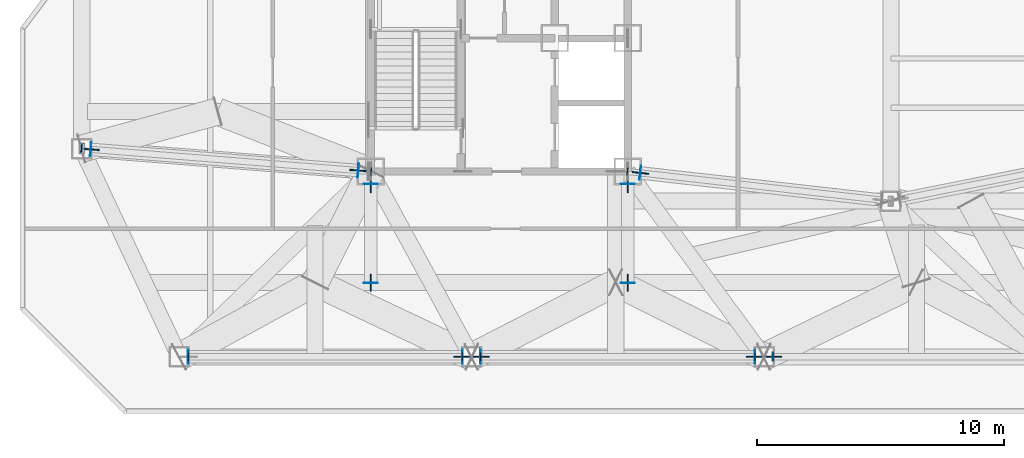
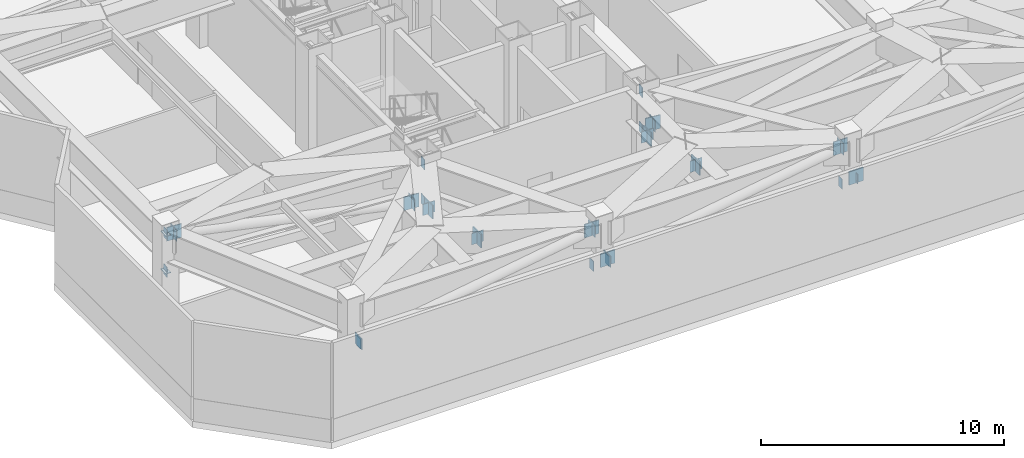
# One storey, part 9 of 19: 36 plates.
"""IFC4 building model written with IfcOpenShell, lengths in metres."""

import ifcopenshell
import ifcopenshell.guid

model = None  # the IFC model being written
_history = None  # IfcOwnerHistory: only IFC2X3 demands one
_inside = {}  # id of a spatial element -> (the spatial element, [elements in it])
_under = {}  # id of a project, library or spatial element -> (it, [spatial elements below it])
_declared = {}  # id of a project -> (the project, [libraries it declares])
_typed = {}  # id of a type object -> (the type object, [elements of that type])
_made_of = {}  # id of a material, layer set ... -> (it, [elements and type objects made of it])


def new_model(schema):
    """Start an empty IFC model of exactly this schema.

    Asked for "IFC4X3", IfcOpenShell would pick the latest addendum, in which some entities
    have other attributes; the version numbers below select the first issue.
    IFC2X3 requires an IfcOwnerHistory on every rooted entity: one is made here for all.
    """
    global model, _history
    if schema == "IFC4X3":
        model = ifcopenshell.file(schema_version=(4, 3, 0, 0))
    else:
        model = ifcopenshell.file(schema=schema)
    _inside.clear()
    _under.clear()
    _declared.clear()
    _typed.clear()
    _made_of.clear()
    _history = None
    if model.schema == "IFC2X3":
        org = make("IfcOrganization", Name="unknown")
        user = make(
            "IfcPersonAndOrganization",
            ThePerson=make("IfcPerson", FamilyName="unknown"),
            TheOrganization=org,
        )
        app = make(
            "IfcApplication",
            ApplicationDeveloper=org,
            Version="unknown",
            ApplicationFullName="unknown",
            ApplicationIdentifier="unknown",
        )
        _history = make(
            "IfcOwnerHistory",
            OwningUser=user,
            OwningApplication=app,
            ChangeAction="ADDED",
            CreationDate=0,
        )
    return model


def make(cls, **values):
    """One entity of the class cls with the attributes given. An attribute that is None is left unset."""
    return model.create_entity(
        cls, **{name: value for name, value in values.items() if value is not None}
    )


def rooted(cls, **values):
    """An entity with a GlobalId (a new one), such as an element, a storey or a relation."""
    return make(cls, GlobalId=ifcopenshell.guid.new(), OwnerHistory=_history, **values)


def si_unit(unit_type, name, prefix=None):
    """IfcSIUnit, for example si_unit("LENGTHUNIT", "METRE", prefix="MILLI")."""
    return make("IfcSIUnit", UnitType=unit_type, Prefix=prefix, Name=name)


def assignment(units):
    """IfcUnitAssignment: the units of a project."""
    return None if units is None else make("IfcUnitAssignment", Units=units)


def point(xyz):
    """IfcCartesianPoint."""
    return None if xyz is None else make("IfcCartesianPoint", Coordinates=xyz)


def direction(xyz):
    """IfcDirection."""
    return None if xyz is None else make("IfcDirection", DirectionRatios=xyz)


def frame(location, z_axis=None, x_axis=None):
    """IfcAxis2Placement3D, a coordinate frame: its origin and axes. An axis left out is left unset."""
    return make(
        "IfcAxis2Placement3D",
        Location=point(location),
        Axis=direction(z_axis),
        RefDirection=direction(x_axis),
    )


def frame_2d(location, x_axis=None):
    """IfcAxis2Placement2D, a coordinate frame in the plane: its origin and x axis."""
    return make(
        "IfcAxis2Placement2D", Location=point(location), RefDirection=direction(x_axis)
    )


def origin():
    """The frame at (0, 0, 0) with its axes left unset."""
    return frame((0.0, 0.0, 0.0))


def origin_2d():
    """The frame at (0, 0) in the plane with its x axis left unset."""
    return frame_2d((0.0, 0.0))


def place(relative_to, where):
    """IfcLocalPlacement: puts the frame where relative to a parent placement (None: the world)."""
    return make(
        "IfcLocalPlacement", PlacementRelTo=relative_to, RelativePlacement=where
    )


def context(
    kind, dimensions, precision=None, world=None, true_north=None, identifier=None
):
    """IfcGeometricRepresentationContext, for example the 3D "Model" context."""
    return make(
        "IfcGeometricRepresentationContext",
        ContextIdentifier=identifier,
        ContextType=kind,
        CoordinateSpaceDimension=dimensions,
        Precision=precision,
        WorldCoordinateSystem=world,
        TrueNorth=true_north,
    )


def subcontext(parent, identifier, kind, view, scale=None):
    """IfcGeometricRepresentationSubContext, for example "Body" below "Model"."""
    return make(
        "IfcGeometricRepresentationSubContext",
        ContextIdentifier=identifier,
        ContextType=kind,
        ParentContext=parent,
        TargetScale=scale,
        TargetView=view,
    )


def project(units=None, contexts=None):
    """IfcProject with its units and contexts."""
    return rooted(
        "IfcProject",
        Name="project",
        RepresentationContexts=contexts,
        UnitsInContext=assignment(units),
    )


def spatial(cls, under=None, at=None, **own):
    """A site, building, storey or space (cls), placed at a placement, below another one or the project."""
    s = rooted(cls, ObjectPlacement=at, **own)
    if under is not None:
        _under.setdefault(under.id(), (under, []))[1].append(s)
    return s


def profile(cls, at=None, kind="AREA", **sizes):
    """A parametric profile (cls). Its sizes go by their IFC names, for example OverallWidth=200.0."""
    return make(cls, ProfileType=kind, Position=at, **sizes)


def rectangle(**sizes):
    """IfcRectangleProfileDef."""
    return profile("IfcRectangleProfileDef", **sizes)


def extrude(swept, where, along, depth):
    """IfcExtrudedAreaSolid: the profile swept, set in the frame where, extruded along a direction by depth."""
    return make(
        "IfcExtrudedAreaSolid",
        SweptArea=swept,
        Position=where,
        ExtrudedDirection=direction(along),
        Depth=depth,
    )


def shape(context_of_items, identifier, shape_type, items):
    """IfcShapeRepresentation: the items that make up one representation, for example the "Body"."""
    return make(
        "IfcShapeRepresentation",
        ContextOfItems=context_of_items,
        RepresentationIdentifier=identifier,
        RepresentationType=shape_type,
        Items=items,
    )


def material(Name=None, Category=None):
    """IfcMaterial."""
    return make("IfcMaterial", Name=Name, Category=Category)


def layer(
    of_material, thickness, ventilated=None, Name=None, Category=None, Priority=None
):
    """IfcMaterialLayer: one layer of a wall or slab, of a material (None: an air gap)."""
    return make(
        "IfcMaterialLayer",
        Material=of_material,
        LayerThickness=thickness,
        IsVentilated=ventilated,
        Name=Name,
        Category=Category,
        Priority=Priority,
    )


def layer_set(layers, Name=None):
    """IfcMaterialLayerSet."""
    return make("IfcMaterialLayerSet", MaterialLayers=layers, LayerSetName=Name)


def made_of(thing, what):
    """Note that an element or type object is made of a material, layer set ...; save() writes the relation."""
    if what is not None:
        _made_of.setdefault(what.id(), (what, []))[1].append(thing)
    return thing


def type_object(cls, material=None, **own):
    """A type object (cls), such as IfcWallType, which elements share."""
    return made_of(rooted(cls, **own), material)


def element(
    cls,
    number,
    at=None,
    inside=None,
    cuts=None,
    type_object=None,
    material=None,
    context=None,
    identifier="Body",
    shape_type=None,
    held_by="IfcProductDefinitionShape",
    body=None,
    shapes=None,
    **own,
):
    """One element of the class cls, such as IfcWall. Its Tag is "e" and its number.

    at: its placement. inside: the storey or other place that contains it. cuts: it is an
    opening in that element (IfcRelVoidsElement). A single representation is given by context,
    identifier, shape_type and body (its items); several are given by shapes. held_by: the class
    of the entity that holds the representations. save() writes the other relations.
    """
    e = rooted(cls, Tag="e%d" % number, ObjectPlacement=at, **own)
    if body is not None:
        shapes = [shape(context, identifier, shape_type, body)]
    if shapes is not None:
        e.Representation = make(held_by, Representations=shapes)
    if inside is not None:
        _inside.setdefault(inside.id(), (inside, []))[1].append(e)
    if cuts is not None:
        rooted(
            "IfcRelVoidsElement", RelatingBuildingElement=cuts, RelatedOpeningElement=e
        )
    if type_object is not None:
        _typed.setdefault(type_object.id(), (type_object, []))[1].append(e)
    return made_of(e, material)


def aggregate(whole, parts):
    """IfcRelAggregates: a whole, such as a stair, and the parts it consists of."""
    return rooted("IfcRelAggregates", RelatingObject=whole, RelatedObjects=parts)


def save(model, path):
    """Write the relations noted so far, then the file.

    IfcRelAggregates (storeys below a building ...), IfcRelContainedInSpatialStructure (elements
    in a storey), IfcRelDefinesByType, IfcRelAssociatesMaterial and IfcRelDeclares: one each for
    every whole, place, type object, material and project.
    """
    for whole, parts in _under.values():
        aggregate(whole, parts)
    for where, things in _inside.values():
        rooted(
            "IfcRelContainedInSpatialStructure",
            RelatedElements=things,
            RelatingStructure=where,
        )
    for kind, things in _typed.values():
        rooted("IfcRelDefinesByType", RelatedObjects=things, RelatingType=kind)
    for what, things in _made_of.values():
        rooted("IfcRelAssociatesMaterial", RelatedObjects=things, RelatingMaterial=what)
    for by, libraries in _declared.values():
        rooted("IfcRelDeclares", RelatingContext=by, RelatedDefinitions=libraries)
    model.write(path)


model = new_model("IFC4")

# Units and contexts
model_context = context("Model", 3, precision=1e-05, world=origin(), true_north=direction((0.0, 1.0)))
body_context = subcontext(model_context, "Body", "Model", "MODEL_VIEW")
ifc_project = project(units=[si_unit("LENGTHUNIT", "METRE"), si_unit("AREAUNIT", "SQUARE_METRE"), si_unit("VOLUMEUNIT", "CUBIC_METRE"), si_unit("PLANEANGLEUNIT", "RADIAN"), si_unit("MASSUNIT", "GRAM", prefix="KILO")], contexts=[model_context])

# Site, building, storey
site_placement = place(None, origin())
site = spatial("IfcSite", under=ifc_project, at=site_placement, CompositionType="ELEMENT")
building_placement = place(site_placement, origin())
building = spatial("IfcBuilding", under=site, at=building_placement, Name="Khamvora Tower", CompositionType="ELEMENT")
storey_placement = place(building_placement, frame((0.0, 0.0, 211.800048828125)))
storey = spatial("IfcBuildingStorey", under=building, at=storey_placement, Name="L54", CompositionType="ELEMENT", Elevation=211.800048828125)

# Plates
ifc_material_1 = material(Name="Steel S355", Category="steel")
ifc_layer_1 = layer(ifc_material_1, 0.02490234375)
ifc_layer_set_1 = layer_set([ifc_layer_1], Name="Steel S355")
plate_type_1 = type_object("IfcPlateType", Name="PL-CAP-25", PredefinedType="SHEET", material=ifc_layer_set_1)
for number, where, z_axis, x_axis, name in (
    (1, (29.011962890625, 18.9990234375, 4.375), (0.0, 0.0, 1.0), (-0.996889885607, 0.078807080738, 0.0), "L54 hollow section steel end cap plate 0996"),
    (2, (17.2880859375, 19.926025390625, 4.375), (0.0, 0.0, 1.0), (-0.996889885607, 0.078807080738, 0.0), "L54 hollow section steel end cap plate 0997"),
    (3, (29.011962890625, 18.9990234375, 2.5048828125), (0.0, 0.0, 1.0), (-0.996889885607, 0.078807080738, 0.0), "L54 hollow section steel end cap plate 0998"),
    (4, (17.2880859375, 19.926025390625, 2.5048828125), (0.0, 0.0, 1.0), (-0.996889885607, 0.078807080738, 0.0), "L54 hollow section steel end cap plate 0999"),
):
    element("IfcPlate", number, at=place(storey_placement, frame(where, z_axis=z_axis, x_axis=x_axis)), inside=storey, type_object=plate_type_1, Name=name, PredefinedType="SHEET", context=body_context, shape_type="SweptSolid", body=[
        extrude(rectangle(XDim=0.02490234375, YDim=0.31005859375, at=origin_2d()), origin(), (0.0, 0.0, 1.0), 0.510009765625),
    ])
for number, where, z_axis, x_axis, name in (
    (5, (28.489990234375, 19.0400390625, 2.55712890625), (0.0, 0.0, 1.0), (-0.996889885607, 0.078807080738, 0.0), "L54 hollow section steel end cap plate 1000"),
    (6, (17.662109375, 19.89599609375, 4.2880859375), (0.0, 0.0, 1.0), (-0.996889885607, 0.078807080738, 0.0), "L54 hollow section steel end cap plate 1001"),
):
    element("IfcPlate", number, at=place(storey_placement, frame(where, z_axis=z_axis, x_axis=x_axis)), inside=storey, type_object=plate_type_1, Name=name, PredefinedType="SHEET", context=body_context, shape_type="SweptSolid", body=[
        extrude(rectangle(XDim=0.02490234375, YDim=0.568115234375, at=origin_2d()), origin(), (0.0, 0.0, 1.0), 0.568115234375),
    ])
for number, where, z_axis, x_axis, name in (
    (7, (17.300048828125, 19.925048828125, 2.735595703125), (0.0, 0.0, 1.0), (1.0, 0.0, 0.0), "L54 hollow section steel end cap plate 1002"),
    (8, (17.300048828125, 19.925048828125, 4.62939453125), (0.0, 0.0, 1.0), (1.0, 0.0, 0.0), "L54 hollow section steel end cap plate 1003"),
):
    element("IfcPlate", number, at=place(storey_placement, frame(where, z_axis=z_axis, x_axis=x_axis)), inside=storey, type_object=plate_type_1, Name=name, PredefinedType="SHEET", context=body_context, shape_type="SweptSolid", body=[
        extrude(rectangle(XDim=0.239990234375, YDim=0.43994140625, at=origin_2d()), origin(), (0.0, 0.0, 1.0), 0.02490234375),
    ])
for number, where, z_axis, x_axis, name in (
    (9, (39.387939453125, 19.0009765625, 4.375), (0.0, 0.0, 1.0), (0.993711372373, -0.11197190905, 0.0), "L54 hollow section steel end cap plate 1012"),
    (10, (39.387939453125, 19.0009765625, 2.5048828125), (0.0, 0.0, 1.0), (0.993711372373, -0.11197190905, 0.0), "L54 hollow section steel end cap plate 1014"),
):
    element("IfcPlate", number, at=place(storey_placement, frame(where, z_axis=z_axis, x_axis=x_axis)), inside=storey, type_object=plate_type_1, Name=name, PredefinedType="SHEET", context=body_context, shape_type="SweptSolid", body=[
        extrude(rectangle(XDim=0.02490234375, YDim=0.31005859375, at=origin_2d()), origin(), (0.0, 0.0, 1.0), 0.510009765625),
    ])
plate_1_placement = place(storey_placement, frame((39.906982421875, 18.943115234375, 2.56494140625), z_axis=(0.0, 0.0, 1.0), x_axis=(0.993707463211, -0.112006596052, 0.0)))
element("IfcPlate", 11, at=plate_1_placement, inside=storey, type_object=plate_type_1, Name="L54 hollow section steel end cap plate 1016", PredefinedType="SHEET", context=body_context, shape_type="SweptSolid", body=[
    extrude(rectangle(XDim=0.02490234375, YDim=0.568115234375, at=origin_2d()), origin(), (0.0, 0.0, 1.0), 0.568115234375),
])
for number, where, z_axis, x_axis, name in (
    (12, (21.616943359375, 11.5, 2.5048828125), (0.0, 0.0, 1.0), (1.0, 0.0, 0.0), "L54 hollow section steel end cap plate 1036"),
    (13, (32.716064453125, 11.5, 2.5048828125), (0.0, 0.0, 1.0), (1.0, 0.0, 0.0), "L54 hollow section steel end cap plate 1037"),
):
    element("IfcPlate", number, at=place(storey_placement, frame(where, z_axis=z_axis, x_axis=x_axis)), inside=storey, type_object=plate_type_1, Name=name, PredefinedType="SHEET", context=body_context, shape_type="SweptSolid", body=[
        extrude(rectangle(XDim=0.02490234375, YDim=0.31005859375, at=origin_2d()), origin(), (0.0, 0.0, 1.0), 0.510009765625),
    ])
for number, where, z_axis, x_axis, name in (
    (14, (21.613037109375, 11.5, 2.53271484375), (0.0, 0.0, 1.0), (1.0, 0.0, 0.0), "L54 hollow section steel end cap plate 1038"),
    (15, (32.719970703125, 11.5, 4.2890625), (0.0, 0.0, 1.0), (1.0, 0.0, 0.0), "L54 hollow section steel end cap plate 1039"),
):
    element("IfcPlate", number, at=place(storey_placement, frame(where, z_axis=z_axis, x_axis=x_axis)), inside=storey, type_object=plate_type_1, Name=name, PredefinedType="SHEET", context=body_context, shape_type="SweptSolid", body=[
        extrude(rectangle(XDim=0.02490234375, YDim=0.568115234375, at=origin_2d()), origin(), (0.0, 0.0, 1.0), 0.568115234375),
    ])
for number, where, z_axis, x_axis, name in (
    (16, (33.449951171875, 11.5, 2.5048828125), (0.0, 0.0, 1.0), (1.0, 0.0, 0.0), "L54 hollow section steel end cap plate 1040"),
    (17, (44.550048828125, 11.5, 2.5048828125), (0.0, 0.0, 1.0), (1.0, 0.0, 0.0), "L54 hollow section steel end cap plate 1041"),
):
    element("IfcPlate", number, at=place(storey_placement, frame(where, z_axis=z_axis, x_axis=x_axis)), inside=storey, type_object=plate_type_1, Name=name, PredefinedType="SHEET", context=body_context, shape_type="SweptSolid", body=[
        extrude(rectangle(XDim=0.02490234375, YDim=0.31005859375, at=origin_2d()), origin(), (0.0, 0.0, 1.0), 0.510009765625),
    ])
for number, where, z_axis, x_axis, name in (
    (18, (33.446044921875, 11.5, 2.53271484375), (0.0, 0.0, 1.0), (1.0, 0.0, 0.0), "L54 hollow section steel end cap plate 1042"),
    (19, (44.553955078125, 11.5, 4.2890625), (0.0, 0.0, 1.0), (1.0, 0.0, 0.0), "L54 hollow section steel end cap plate 1043"),
):
    element("IfcPlate", number, at=place(storey_placement, frame(where, z_axis=z_axis, x_axis=x_axis)), inside=storey, type_object=plate_type_1, Name=name, PredefinedType="SHEET", context=body_context, shape_type="SweptSolid", body=[
        extrude(rectangle(XDim=0.02490234375, YDim=0.568115234375, at=origin_2d()), origin(), (0.0, 0.0, 1.0), 0.568115234375),
    ])
plate_2_placement = place(storey_placement, frame((45.283935546875, 11.5, 2.5048828125), z_axis=(0.0, 0.0, 1.0), x_axis=(1.0, 0.0, 0.0)))
element("IfcPlate", 20, at=plate_2_placement, inside=storey, type_object=plate_type_1, Name="L54 hollow section steel end cap plate 1044", PredefinedType="SHEET", context=body_context, shape_type="SweptSolid", body=[
    extrude(rectangle(XDim=0.02490234375, YDim=0.31005859375, at=origin_2d()), origin(), (0.0, 0.0, 1.0), 0.510009765625),
])
for number, where, z_axis, x_axis, name in (
    (21, (29.0, 18.4970703125, 2.38671875), (0.0, 0.0, 1.0), (0.0, -1.0, 0.0), "L54 hollow section steel end cap plate 1056"),
    (22, (29.0, 14.488037109375, 3.34912109375), (0.0, 0.0, 1.0), (0.0, -1.0, 0.0), "L54 hollow section steel end cap plate 1057"),
    (23, (39.39990234375, 18.4970703125, 2.38671875), (0.0, 0.0, 1.0), (0.0, -1.0, 0.0), "L54 hollow section steel end cap plate 1058"),
    (24, (39.39990234375, 14.488037109375, 3.34912109375), (0.0, 0.0, 1.0), (0.0, -1.0, 0.0), "L54 hollow section steel end cap plate 1059"),
):
    element("IfcPlate", number, at=place(storey_placement, frame(where, z_axis=z_axis, x_axis=x_axis)), inside=storey, type_object=plate_type_1, Name=name, PredefinedType="SHEET", context=body_context, shape_type="SweptSolid", body=[
        extrude(rectangle(XDim=0.02490234375, YDim=0.568115234375, at=origin_2d()), origin(), (0.0, 0.0, 1.0), 0.568115234375),
    ])
plate_3_placement = place(storey_placement, frame((45.280029296875, 11.5, 2.653564453125), z_axis=(0.0, 0.0, 1.0), x_axis=(1.0, 0.0, 0.0)))
element("IfcPlate", 25, at=plate_3_placement, inside=storey, type_object=plate_type_1, Name="L54 hollow section steel end cap plate 1126", PredefinedType="SHEET", context=body_context, shape_type="SweptSolid", body=[
    extrude(rectangle(XDim=0.02490234375, YDim=0.3330078125, at=origin_2d()), origin(), (0.0, 0.0, 1.0), 0.3330078125),
])
ifc_material_2 = material(Name="Steel S460", Category="steel")
ifc_layer_2 = layer(ifc_material_2, 0.050048828125)
ifc_layer_set_2 = layer_set([ifc_layer_2], Name="Steel S460")
plate_type_2 = type_object("IfcPlateType", Name="PLT-GUS-50", PredefinedType="SHEET", material=ifc_layer_set_2)
for number, where, z_axis, x_axis, name in (
    (26, (28.47802734375, 19.041015625, 2.5029296875), (0.0, 0.0, 1.0), (-0.996889885607, 0.078807080738, 0.0), "L54 brace connection node gusset plate 0333"),
    (27, (17.674072265625, 19.89501953125, 4.22998046875), (0.0, 0.0, 1.0), (-0.996889885607, 0.078807080738, 0.0), "L54 brace connection node gusset plate 0334"),
    (28, (39.9189453125, 18.94189453125, 2.5107421875), (0.0, 0.0, 1.0), (0.993711372373, -0.11197190905, 0.0), "L54 brace connection node gusset plate 0337"),
    (29, (32.7080078125, 11.5, 4.23095703125), (0.0, 0.0, 1.0), (1.0, 0.0, 0.0), "L54 brace connection node gusset plate 0346"),
    (30, (33.4580078125, 11.5, 2.47900390625), (0.0, 0.0, 1.0), (1.0, 0.0, 0.0), "L54 brace connection node gusset plate 0347"),
    (31, (44.5419921875, 11.5, 4.23095703125), (0.0, 0.0, 1.0), (1.0, 0.0, 0.0), "L54 brace connection node gusset plate 0348"),
    (32, (29.0, 18.485107421875, 2.333984375), (0.0, 0.0, 1.0), (0.0, -1.0, 0.0), "L54 brace connection node gusset plate 0353"),
    (33, (29.0, 14.5, 3.2900390625), (0.0, 0.0, 1.0), (0.0, -1.0, 0.0), "L54 brace connection node gusset plate 0354"),
    (34, (39.39990234375, 18.485107421875, 2.333984375), (0.0, 0.0, 1.0), (0.0, -1.0, 0.0), "L54 brace connection node gusset plate 0355"),
    (35, (39.39990234375, 14.5, 3.2900390625), (0.0, 0.0, 1.0), (0.0, -1.0, 0.0), "L54 brace connection node gusset plate 0356"),
    (36, (45.2919921875, 11.5, 2.48193359375), (0.0, 0.0, 1.0), (1.0, 0.0, 0.0), "L54 brace connection node gusset plate 0369"),
):
    element("IfcPlate", number, at=place(storey_placement, frame(where, z_axis=z_axis, x_axis=x_axis)), inside=storey, type_object=plate_type_2, Name=name, PredefinedType="SHEET", context=body_context, shape_type="SweptSolid", body=[
        extrude(rectangle(XDim=0.679931640625, YDim=0.050048828125, at=origin_2d()), origin(), (0.0, 0.0, 1.0), 0.679931640625),
    ])

save(model, "model.ifc")
